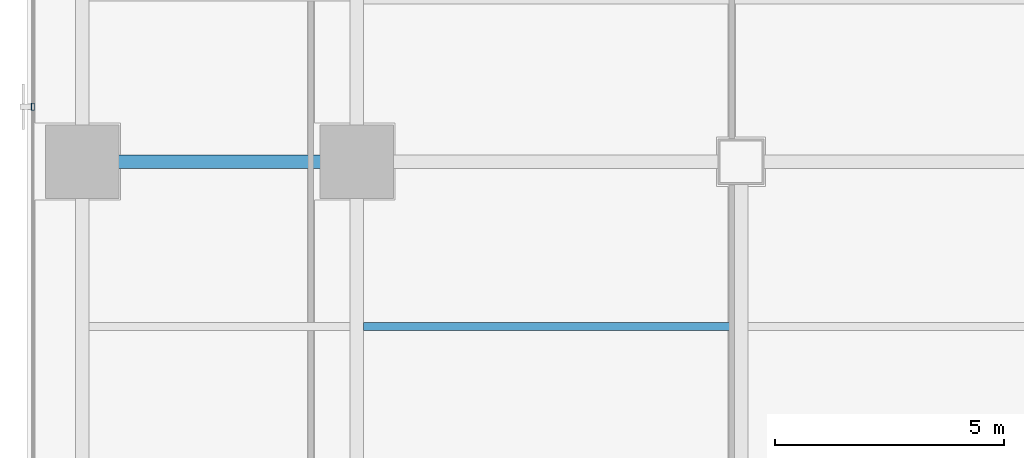
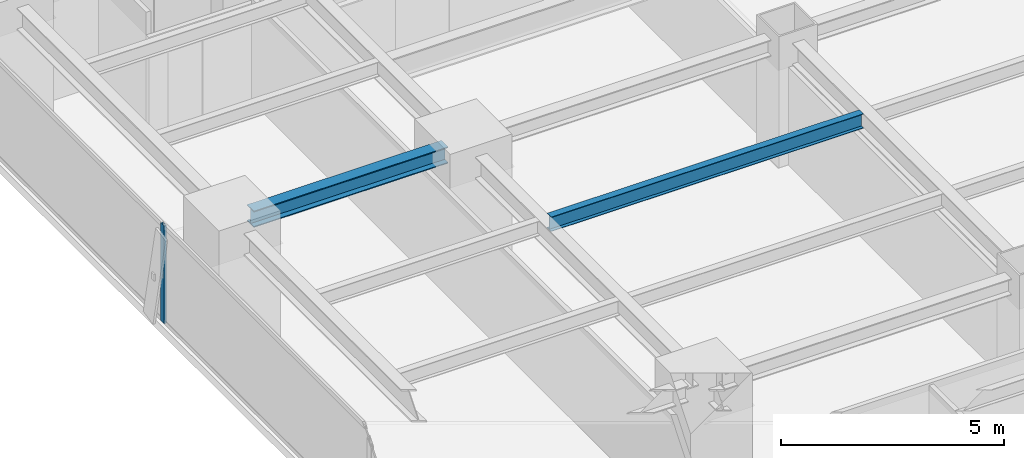
# One storey, part 7 of 28: 2 beams, 1 member, 1 element without a shape of its own.
"""IFC4 building model written with IfcOpenShell, lengths in metres."""

from ifc_helpers import new_model, si_unit, direction, frame, origin, origin_2d, place, context, subcontext, project, spatial, hollow_rectangle, i_section, extrude, source, transform, mapped, material, layer, layer_set, material_profile, profile_set, type_object, element, aggregate, save


model = new_model("IFC4")

# Units and contexts
model_context = context("Model", 3, precision=1e-05, world=origin(), true_north=direction((0.0, 1.0)))
body_context = subcontext(model_context, "Body", "Model", "MODEL_VIEW")
ifc_project = project(units=[si_unit("LENGTHUNIT", "METRE"), si_unit("AREAUNIT", "SQUARE_METRE"), si_unit("VOLUMEUNIT", "CUBIC_METRE"), si_unit("PLANEANGLEUNIT", "RADIAN"), si_unit("MASSUNIT", "GRAM", prefix="KILO")], contexts=[model_context])

# Site, building, storey
site_placement = place(None, origin())
site = spatial("IfcSite", under=ifc_project, at=site_placement, CompositionType="ELEMENT")
building_placement = place(site_placement, origin())
building = spatial("IfcBuilding", under=site, at=building_placement, Name="Sumidabori Civic Tower", CompositionType="ELEMENT")
storey_placement = place(building_placement, frame((0.0, 0.0, 185.60009765625)))
storey = spatial("IfcBuildingStorey", under=building, at=storey_placement, Name="L48", CompositionType="ELEMENT", Elevation=185.60009765625)

# Beams
ifc_material_1 = material(Name="Steel SN490", Category="steel")
ifc_material_profile_1 = material_profile(ifc_material_1, i_section(OverallWidth=0.179931640625, OverallDepth=0.39990234375, WebThickness=0.008544921875, FlangeThickness=0.013427734375, at=origin_2d()), Name="IPE 400")
ifc_profile_set_1 = profile_set([ifc_material_profile_1], Name="Steel SN490")
beam_type_1 = type_object("IfcBeamType", Name="BM-JST-400", PredefinedType="JOIST", material=ifc_profile_set_1)
shared_shape_1 = source(origin(), body_context, "Body", "SweptSolid", [
    extrude(i_section(OverallWidth=0.179931640625, OverallDepth=0.39990234375, WebThickness=0.008544921875, FlangeThickness=0.013427734375, at=origin_2d()), origin(), (0.0, 0.0, 1.0), 8.099853515625),
])
beam_1_placement = place(storey_placement, frame((-16.64990234375, -3.60009765625, 3.099853515625), z_axis=(1.0, 0.0, 0.0), x_axis=(0.0, 1.0, 0.0)))
element("IfcBeam", 1, at=beam_1_placement, inside=storey, type_object=beam_type_1, Name="South Bay Floor Joist L48 JSTS-57", PredefinedType="JOIST", context=body_context, shape_type="MappedRepresentation", body=[
    mapped(shared_shape_1, transform((0.0, 0.0, 0.0), x_axis=(1.0, 0.0, 0.0), y_axis=(0.0, 1.0, 0.0), z_axis=(0.0, 0.0, 1.0), scale=1.0)),
])
ifc_material_profile_2 = material_profile(ifc_material_1, i_section(OverallWidth=0.300048828125, OverallDepth=0.449951171875, WebThickness=0.013916015625, FlangeThickness=0.02587890625, at=origin_2d()), Name="HE 450 B")
ifc_profile_set_2 = profile_set([ifc_material_profile_2], Name="Steel SN490")
beam_type_2 = type_object("IfcBeamType", Name="BM-GIRD-450", PredefinedType="BEAM", material=ifc_profile_set_2)
shared_shape_2 = source(origin(), body_context, "Body", "SweptSolid", [
    extrude(i_section(OverallWidth=0.300048828125, OverallDepth=0.449951171875, WebThickness=0.013916015625, FlangeThickness=0.02587890625, at=origin_2d()), origin(), (0.0, 0.0, 1.0), 5.0400390625),
])
beam_2_placement = place(storey_placement, frame((-22.320068359375, 0.0, 3.074951171875), z_axis=(1.0, 0.0, 0.0), x_axis=(0.0, 1.0, 0.0)))
element("IfcBeam", 2, at=beam_2_placement, inside=storey, type_object=beam_type_2, Name="Primary Girder L48 GX-11", PredefinedType="BEAM", context=body_context, shape_type="MappedRepresentation", body=[
    mapped(shared_shape_2, transform((0.0, 0.0, 0.0), x_axis=(1.0, 0.0, 0.0), y_axis=(0.0, 1.0, 0.0), z_axis=(0.0, 0.0, 1.0), scale=1.0)),
])

# Curtain wall, member
ifc_material_2 = material(Name="Anodised Bronze Aluminium AW-6063-T6", Category="aluminium")
ifc_layer = layer(ifc_material_2, 0.179931640625, Name="Anodised Bronze Aluminium AW-6063-T6")
ifc_layer_set = layer_set([ifc_layer], Name="Anodised Bronze Aluminium AW-6063-T6")
curtain_wall_type = type_object("IfcCurtainWallType", Name="CW-SYS-3", PredefinedType="NOTDEFINED", material=ifc_layer_set)
curtain_wall_placement = place(storey_placement, origin())
curtain_wall = element("IfcCurtainWall", 3, at=curtain_wall_placement, inside=storey, type_object=curtain_wall_type, Name="Curtain Wall CW:L48:R10", PredefinedType="NOTDEFINED")
ifc_material_profile_3 = material_profile(ifc_material_2, hollow_rectangle(XDim=0.06494140625, YDim=0.159912109375, WallThickness=0.0048828125, at=origin_2d()), Name="ALU MULLION 160x65")
ifc_profile_set_3 = profile_set([ifc_material_profile_3], Name="Anodised Bronze Aluminium AW-6063-T6")
member_type = type_object("IfcMemberType", Name="CW-MUL-160", PredefinedType="MULLION", material=ifc_profile_set_3)
shared_shape_3 = source(origin(), body_context, "Body", "SweptSolid", [
    extrude(hollow_rectangle(XDim=0.06494140625, YDim=0.159912109375, WallThickness=0.0048828125, at=origin_2d()), origin(), (0.0, 0.0, 1.0), 2.679931640625),
])
member_placement = place(storey_placement, frame((-23.8798828125, 1.199951171875, 0.0), z_axis=(0.0, 0.0, 1.0), x_axis=(1.0, 0.0, 0.0)))
member = element("IfcMember", 4, at=member_placement, type_object=member_type, Name="CW-3 mullion 3", PredefinedType="MULLION", context=body_context, shape_type="MappedRepresentation", body=[
    mapped(shared_shape_3, transform((0.0, 0.0, 0.0), x_axis=(1.0, 0.0, 0.0), y_axis=(0.0, 1.0, 0.0), z_axis=(0.0, 0.0, 1.0), scale=1.0)),
])
aggregate(curtain_wall, [member])

save(model, "model.ifc")
